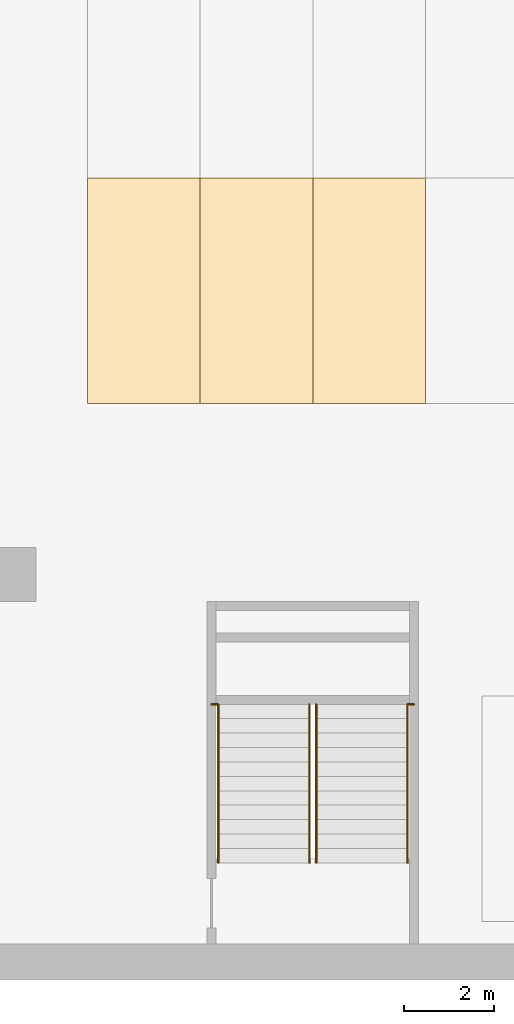
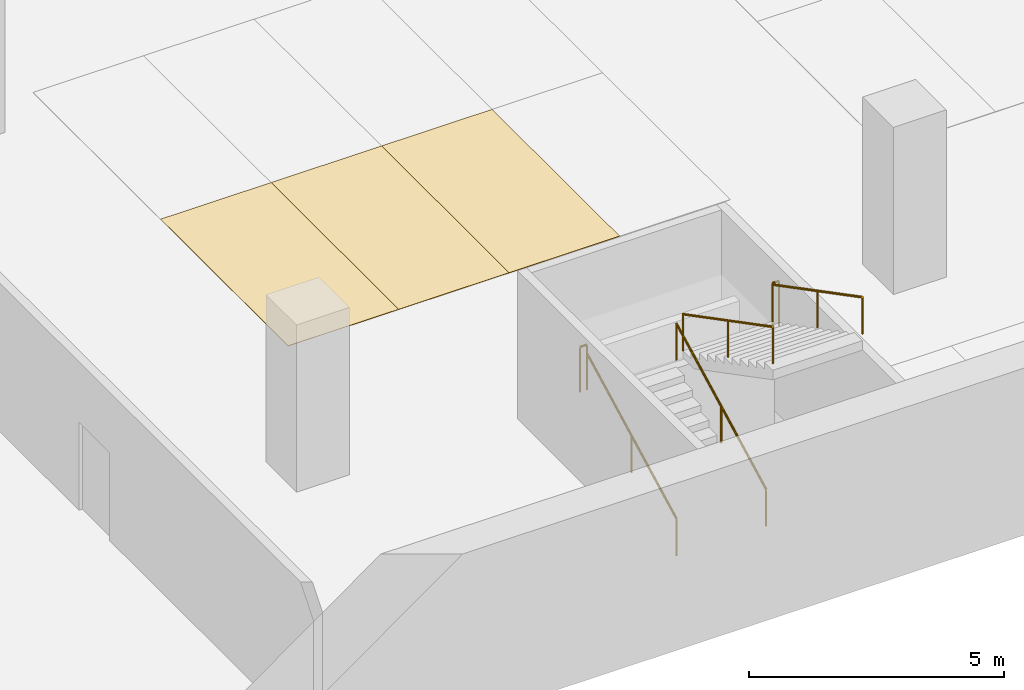
# One storey, part 17 of 31: 6 railings, 3 coverings.
"""IFC4 building model written with IfcOpenShell, lengths in metres."""

from ifc_helpers import new_model, si_unit, direction, frame, origin, origin_2d, place, context, subcontext, project, spatial, polyline, circle, outline, extrude, source, transform, mapped, material, layer, layer_set, type_object, element, save


model = new_model("IFC4")

# Units and contexts
model_context = context("Model", 3, precision=1e-05, world=origin(), true_north=direction((0.0, 1.0)))
body_context = subcontext(model_context, "Body", "Model", "MODEL_VIEW")
ifc_project = project(units=[si_unit("LENGTHUNIT", "METRE"), si_unit("AREAUNIT", "SQUARE_METRE"), si_unit("VOLUMEUNIT", "CUBIC_METRE"), si_unit("PLANEANGLEUNIT", "RADIAN"), si_unit("MASSUNIT", "GRAM", prefix="KILO")], contexts=[model_context])

# Site, building, storey
site_placement = place(None, origin())
site = spatial("IfcSite", under=ifc_project, at=site_placement, CompositionType="ELEMENT")
building_placement = place(site_placement, origin())
building = spatial("IfcBuilding", under=site, at=building_placement, Name="Altepetl Exchange Towers", CompositionType="ELEMENT")
storey_placement = place(building_placement, frame((0.0, 0.0, -4.0)))
storey = spatial("IfcBuildingStorey", under=building, at=storey_placement, Name="B1 Basement services", CompositionType="ELEMENT", Elevation=-4.0)

# Coverings
ifc_material_1 = material(Name="Road marking paint")
ifc_layer = layer(ifc_material_1, 0.010009765625)
ifc_layer_set = layer_set([ifc_layer], Name="Road marking paint")
covering_type = type_object("IfcCoveringType", Name="Parking bay marking 2500 x 5000", PredefinedType="FLOORING", material=ifc_layer_set)
covering_1_placement = place(storey_placement, origin())
element("IfcCovering", 1, at=covering_1_placement, inside=storey, type_object=covering_type, Name="Parking bay B1-026", PredefinedType="FLOORING", context=body_context, shape_type="SweptSolid", body=[
    extrude(outline(polyline([(24.25, 12.800048828125), (26.75, 12.800048828125), (26.75, 17.800048828125), (24.25, 17.800048828125), (24.25, 12.800048828125)])), origin(), (0.0, 0.0, 1.0), 0.010009765625),
])
covering_2_placement = place(storey_placement, origin())
element("IfcCovering", 2, at=covering_2_placement, inside=storey, type_object=covering_type, Name="Parking bay B1-027", PredefinedType="FLOORING", context=body_context, shape_type="SweptSolid", body=[
    extrude(outline(polyline([(26.75, 12.800048828125), (29.25, 12.800048828125), (29.25, 17.800048828125), (26.75, 17.800048828125), (26.75, 12.800048828125)])), origin(), (0.0, 0.0, 1.0), 0.010009765625),
])
covering_3_placement = place(storey_placement, origin())
element("IfcCovering", 3, at=covering_3_placement, inside=storey, type_object=covering_type, Name="Parking bay B1-028", PredefinedType="FLOORING", context=body_context, shape_type="SweptSolid", body=[
    extrude(outline(polyline([(29.25, 12.800048828125), (31.75, 12.800048828125), (31.75, 17.800048828125), (29.25, 17.800048828125), (29.25, 12.800048828125)])), origin(), (0.0, 0.0, 1.0), 0.010009765625),
])

# Railings
ifc_material_2 = material(Name="Laminated glass and steel", Category="steel")
railing_type_1 = type_object("IfcRailingType", Name="Hall gallery guard 1100", PredefinedType="GUARDRAIL", material=ifc_material_2)
shared_shape_1 = source(origin(), body_context, "Body", "SweptSolid", [
    extrude(circle(Radius=0.02001953125, at=origin_2d()), origin(), (0.0, 0.0, 1.0), 1.050048828125),
])
for number, where, name in (
    (4, (27.0, 6.1201171875, 2.0), "rail:P:B1:ES1land0"),
    (5, (31.35009765625, 6.1201171875, 2.0), "rail:P:B1:ES1land1"),
):
    element("IfcRailing", number, at=place(storey_placement, frame(where)), inside=storey, type_object=railing_type_1, Name=name, PredefinedType="GUARDRAIL", context=body_context, shape_type="SweptSolid", body=[
        extrude(circle(Radius=0.02490234375, at=origin_2d()), frame((0.0, 0.0, 1.0751953125), z_axis=(1.0, 0.0, 0.0), x_axis=(0.0, 1.0, 0.0)), (0.0, 0.0, 1.0), 0.14990234375),
        mapped(shared_shape_1, transform((0.0, 0.0, 0.0))),
        mapped(shared_shape_1, transform((0.14990234375, 0.0, 0.0))),
    ])
ifc_material_3 = material(Name="Stainless steel", Category="steel")
railing_type_2 = type_object("IfcRailingType", Name="Stair handrail 900", PredefinedType="HANDRAIL", material=ifc_material_3)
shared_shape_2 = source(origin(), body_context, "Body", "SweptSolid", [
    extrude(circle(Radius=0.02001953125, at=origin_2d()), origin(), (0.0, 0.0, 1.0), 0.849853515625),
])
for number, where, name in (
    (6, (27.14990234375, 2.60009765625, 0.166748046875), "rail:P:B1:ES1:1a"),
    (7, (29.175048828125, 2.60009765625, 0.166748046875), "rail:P:B1:ES1:1b"),
):
    element("IfcRailing", number, at=place(storey_placement, frame(where)), inside=storey, type_object=railing_type_2, Name=name, PredefinedType="HANDRAIL", context=body_context, shape_type="SweptSolid", body=[
        extrude(circle(Radius=0.02490234375, at=origin_2d()), frame((0.0, 0.0, 0.875), z_axis=(0.0, 0.886923534906, 0.461916272965), x_axis=(-1.0, 0.0, 0.0)), (0.0, 0.0, 1.0), 3.96875),
        mapped(shared_shape_2, transform((0.0, 0.0, 0.0))),
        mapped(shared_shape_2, transform((0.0, 1.760009765625, 0.91650390625))),
        mapped(shared_shape_2, transform((0.0, 3.52001953125, 1.833251953125))),
    ])
for number, where, name in (
    (8, (29.324951171875, 6.1201171875, 2.166748046875), "rail:P:B1:ES1:2a"),
    (9, (31.35009765625, 6.1201171875, 2.166748046875), "rail:P:B1:ES1:2b"),
):
    element("IfcRailing", number, at=place(storey_placement, frame(where)), inside=storey, type_object=railing_type_2, Name=name, PredefinedType="HANDRAIL", context=body_context, shape_type="SweptSolid", body=[
        extrude(circle(Radius=0.02490234375, at=origin_2d()), frame((0.0, 0.0, 0.875), z_axis=(0.0, -0.886923534906, 0.461916272965), x_axis=(1.0, 0.0, 0.0)), (0.0, 0.0, 1.0), 3.96875),
        mapped(shared_shape_2, transform((0.0, 0.0, 0.0))),
        mapped(shared_shape_2, transform((0.0, -1.760009765625, 0.91650390625))),
        mapped(shared_shape_2, transform((0.0, -3.52001953125, 1.833251953125))),
    ])

save(model, "model.ifc")
